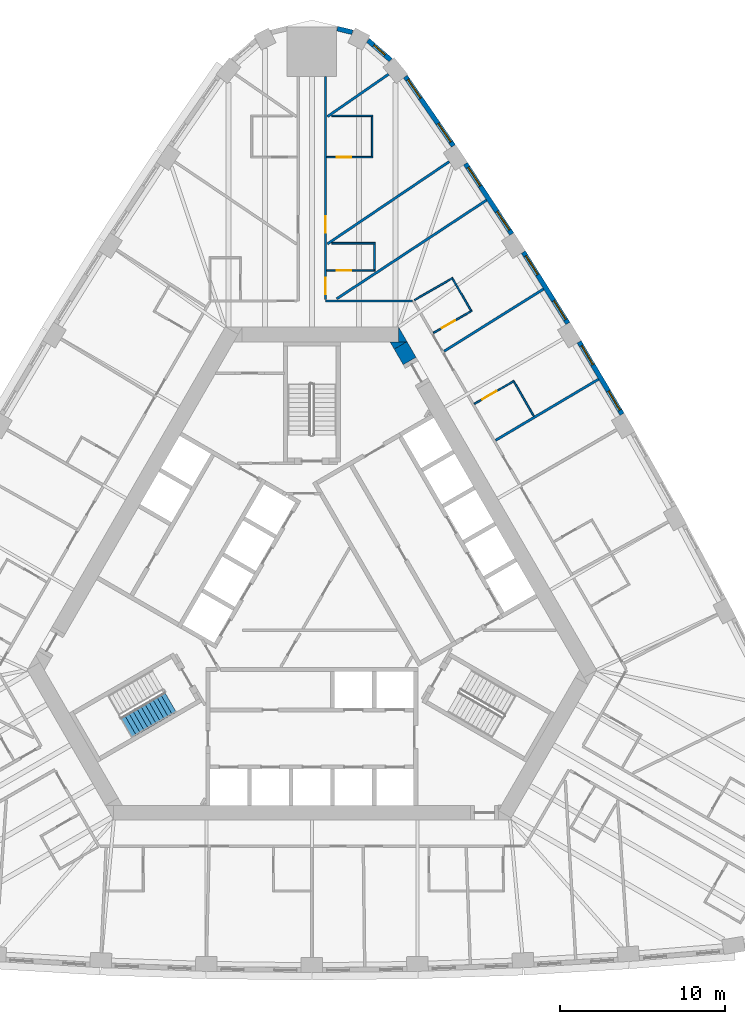
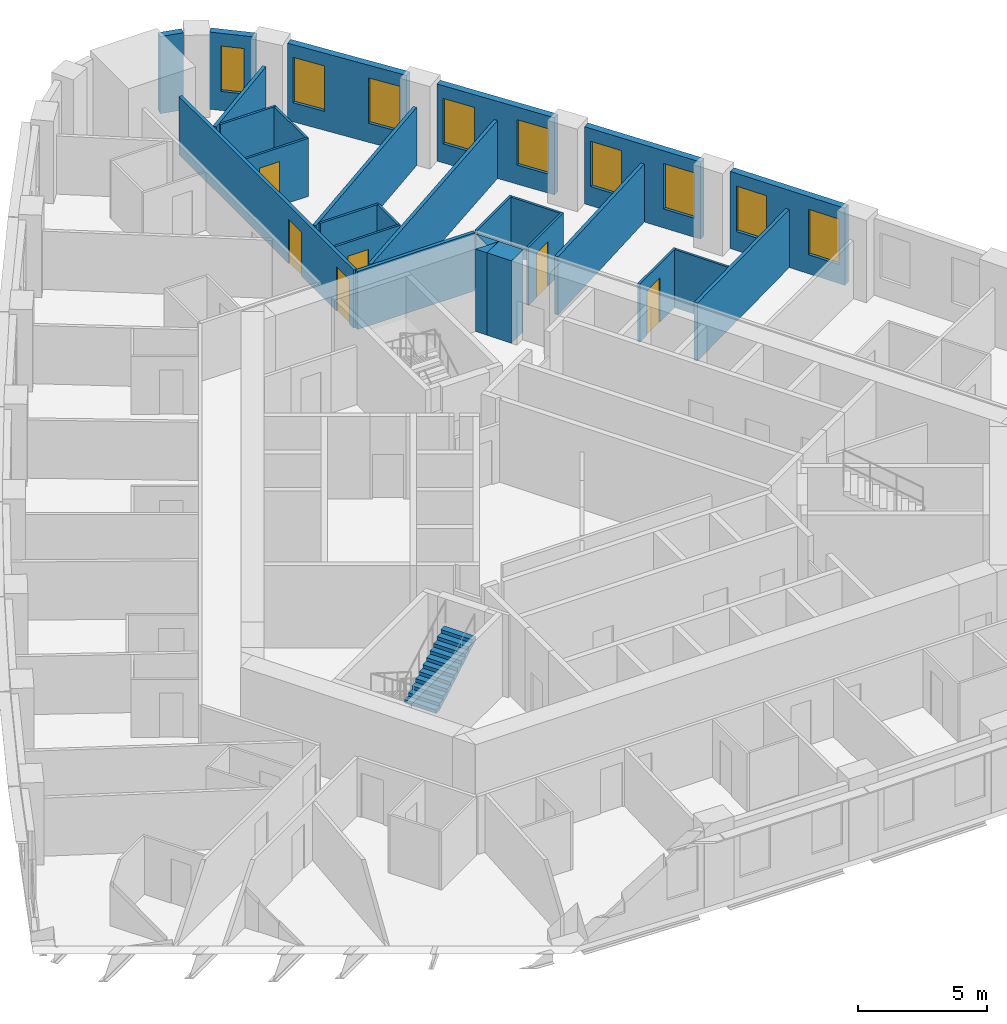
# One storey, part 11 of 13: 27 walls, 9 windows, 6 doors, 1 stair flight, 15 openings, 1 element without a shape of its own.
"""IFC4 building model written with IfcOpenShell, lengths in metres."""

from ifc_helpers import new_model, si_unit, direction, frame, frame_2d, origin, place, context, subcontext, project, spatial, polyline, rectangle, outline, extrude, material, layer, layer_set, type_object, element, fill, aggregate, save


model = new_model("IFC4")

# Units and contexts
model_context = context("Model", 3, precision=1e-05, world=origin(), true_north=direction((0.0, 1.0)))
body_context = subcontext(model_context, "Body", "Model", "MODEL_VIEW")
ifc_project = project(units=[si_unit("LENGTHUNIT", "METRE"), si_unit("AREAUNIT", "SQUARE_METRE"), si_unit("VOLUMEUNIT", "CUBIC_METRE"), si_unit("PLANEANGLEUNIT", "RADIAN"), si_unit("MASSUNIT", "GRAM", prefix="KILO")], contexts=[model_context])

# Site, building, storey
site_placement = place(None, origin())
site = spatial("IfcSite", under=ifc_project, at=site_placement, CompositionType="ELEMENT")
building_placement = place(site_placement, origin())
building = spatial("IfcBuilding", under=site, at=building_placement, Name="Mestral Congress Tower", CompositionType="ELEMENT")
storey_placement = place(building_placement, frame((0.0, 0.0, 91.5)))
storey = spatial("IfcBuildingStorey", under=building, at=storey_placement, Name="L21", CompositionType="ELEMENT", Elevation=91.5)

# Walls
ifc_material_1 = material(Name="Concrete C60/75", Category="concrete")
ifc_layer_1 = layer(ifc_material_1, 0.89990234375)
ifc_layer_set_1 = layer_set([ifc_layer_1], Name="Concrete C60/75")
wall_type_1 = type_object("IfcWallType", Name="Core wall RC 900", PredefinedType="SOLIDWALL", material=ifc_layer_set_1)
placement = place(storey_placement, origin())
element("IfcWall", 1, at=placement, inside=storey, type_object=wall_type_1, Name="L21 core wall", PredefinedType="SOLIDWALL", context=body_context, shape_type="SweptSolid", body=[
    extrude(outline(polyline([(5.265380859375, 16.0), (5.265380859375, 16.8798828125), (5.7734375, 16.0), (5.265380859375, 16.0)])), origin(), (0.0, 0.0, 1.0), 3.89990234375),
])
wall_2_placement = place(storey_placement, frame((5.92578125, 14.836181640625, 0.0), z_axis=(0.0, 0.0, 1.0), x_axis=(-0.500076735116, 0.865981096212, 0.0)))
element("IfcWall", 2, at=wall_2_placement, inside=storey, type_object=wall_type_1, Name="L21 core wall", PredefinedType="SOLIDWALL", context=body_context, shape_type="SweptSolid", body=[
    extrude(rectangle(XDim=1.093505859375, YDim=0.89990234375, at=frame_2d((0.546875, 0.0))), origin(), (0.0, 0.0, 1.0), 3.89990234375),
])
element("IfcWall", 3, at=placement, inside=storey, type_object=wall_type_1, Name="L21 core wall", PredefinedType="SOLIDWALL", context=body_context, shape_type="SweptSolid", body=[
    extrude(outline(polyline([(4.734375, 16.0), (5.750244140625, 16.0), (4.98828125, 15.56005859375), (4.734375, 16.0)])), origin(), (0.0, 0.0, 1.0), 3.89990234375),
])

# Wall, openings, windows
ifc_material_2 = material(Name="Precast concrete C40/50 with limestone facing", Category="masonry")
ifc_layer_2 = layer(ifc_material_2, 0.2900390625)
ifc_layer_set_2 = layer_set([ifc_layer_2], Name="Precast concrete C40/50 with limestone facing")
wall_type_2 = type_object("IfcWallType", Name="Facade stone wall 290", PredefinedType="SOLIDWALL", material=ifc_layer_set_2)
wall_4_placement = place(storey_placement, frame((18.8046875, 11.611083984375, 0.0), z_axis=(0.0, 0.0, 1.0), x_axis=(-0.510054281659, 0.860142214847, 0.0)))
wall_4 = element("IfcWall", 4, at=wall_4_placement, inside=storey, type_object=wall_type_2, Name="Facade wall F1-04", PredefinedType="SOLIDWALL", context=body_context, shape_type="SweptSolid", body=[
    extrude(rectangle(XDim=5.1005859375, YDim=0.2900390625, at=frame_2d((2.55029296875, 0.0))), origin(), (0.0, 0.0, 1.0), 3.64990234375),
])
opening_1_placement = place(wall_4_placement, frame((0.272705078125, 0.0, 0.89990234375)))
opening_1 = element("IfcOpeningElement", 5, at=opening_1_placement, cuts=wall_4, Name="Opening W2", PredefinedType="OPENING", context=body_context, shape_type="SweptSolid", body=[
    extrude(rectangle(XDim=1.35009765625, YDim=2.14990234375, at=frame_2d((0.675048828125, 1.074951171875))), frame((0.0, 0.155029296875, 0.0), z_axis=(0.0, -1.0, 0.0), x_axis=(1.0, 0.0, 0.0)), (0.0, 0.0, 1.0), 0.31005859375),
])
opening_2_placement = place(wall_4_placement, frame((3.477783203125, 0.0, 0.89990234375)))
opening_2 = element("IfcOpeningElement", 6, at=opening_2_placement, cuts=wall_4, Name="Opening W2", PredefinedType="OPENING", context=body_context, shape_type="SweptSolid", body=[
    extrude(rectangle(XDim=1.35009765625, YDim=2.14990234375, at=frame_2d((0.675048828125, 1.074951171875))), frame((0.0, 0.155029296875, 0.0), z_axis=(0.0, -1.0, 0.0), x_axis=(1.0, 0.0, 0.0)), (0.0, 0.0, 1.0), 0.31005859375),
])
ifc_material_3 = material(Name="Clear low-emissivity double glazing", Category="glass")
window_type_1 = type_object("IfcWindowType", Name="Facade punched window 1350 x 2150 sill 900", PartitioningType="DOUBLE_PANEL_VERTICAL", PredefinedType="WINDOW", material=ifc_material_3)
window_1_placement = place(opening_1_placement, origin())
window_1 = element("IfcWindow", 7, at=window_1_placement, inside=storey, type_object=window_type_1, Name="Window F1-04a", OverallHeight=2.14990234375, OverallWidth=1.35009765625, PartitioningType="DOUBLE_PANEL_VERTICAL", PredefinedType="WINDOW", context=body_context, shape_type="SweptSolid", body=[
    extrude(rectangle(XDim=1.35009765625, YDim=2.14990234375, at=frame_2d((0.675048828125, 1.074951171875))), frame((0.0, 0.01513671875, 0.0), z_axis=(0.0, -1.0, 0.0), x_axis=(1.0, 0.0, 0.0)), (0.0, 0.0, 1.0), 0.06005859375),
])
fill(opening_1, window_1)
window_2_placement = place(opening_2_placement, origin())
window_2 = element("IfcWindow", 8, at=window_2_placement, inside=storey, type_object=window_type_1, Name="Window F1-04b", OverallHeight=2.14990234375, OverallWidth=1.35009765625, PartitioningType="DOUBLE_PANEL_VERTICAL", PredefinedType="WINDOW", context=body_context, shape_type="SweptSolid", body=[
    extrude(rectangle(XDim=1.35009765625, YDim=2.14990234375, at=frame_2d((0.675048828125, 1.074951171875))), frame((0.0, 0.01513671875, 0.0), z_axis=(0.0, -1.0, 0.0), x_axis=(1.0, 0.0, 0.0)), (0.0, 0.0, 1.0), 0.06005859375),
])
fill(opening_2, window_2)

wall_5_placement = place(storey_placement, frame((15.523681640625, 17.114013671875, 0.0), z_axis=(0.0, 0.0, 1.0), x_axis=(-0.530072082134, 0.847952585787, 0.0)))
wall_5 = element("IfcWall", 9, at=wall_5_placement, inside=storey, type_object=wall_type_2, Name="Facade wall F1-05", PredefinedType="SOLIDWALL", context=body_context, shape_type="SweptSolid", body=[
    extrude(rectangle(XDim=5.100341796875, YDim=0.2900390625, at=frame_2d((2.55029296875, 0.0))), origin(), (0.0, 0.0, 1.0), 3.64990234375),
])
opening_3_placement = place(wall_5_placement, frame((0.272705078125, 0.0, 0.89990234375)))
opening_3 = element("IfcOpeningElement", 10, at=opening_3_placement, cuts=wall_5, Name="Opening W2", PredefinedType="OPENING", context=body_context, shape_type="SweptSolid", body=[
    extrude(rectangle(XDim=1.35009765625, YDim=2.14990234375, at=frame_2d((0.675048828125, 1.074951171875))), frame((0.0, 0.155029296875, 0.0), z_axis=(0.0, -1.0, 0.0), x_axis=(1.0, 0.0, 0.0)), (0.0, 0.0, 1.0), 0.31005859375),
])
opening_4_placement = place(wall_5_placement, frame((3.477783203125, 0.0, 0.89990234375)))
opening_4 = element("IfcOpeningElement", 11, at=opening_4_placement, cuts=wall_5, Name="Opening W2", PredefinedType="OPENING", context=body_context, shape_type="SweptSolid", body=[
    extrude(rectangle(XDim=1.35009765625, YDim=2.14990234375, at=frame_2d((0.675048828125, 1.074951171875))), frame((0.0, 0.155029296875, 0.0), z_axis=(0.0, -1.0, 0.0), x_axis=(1.0, 0.0, 0.0)), (0.0, 0.0, 1.0), 0.31005859375),
])
window_3_placement = place(opening_3_placement, origin())
window_3 = element("IfcWindow", 12, at=window_3_placement, inside=storey, type_object=window_type_1, Name="Window F1-05a", OverallHeight=2.14990234375, OverallWidth=1.35009765625, PartitioningType="DOUBLE_PANEL_VERTICAL", PredefinedType="WINDOW", context=body_context, shape_type="SweptSolid", body=[
    extrude(rectangle(XDim=1.35009765625, YDim=2.14990234375, at=frame_2d((0.675048828125, 1.074951171875))), frame((0.0, 0.01513671875, 0.0), z_axis=(0.0, -1.0, 0.0), x_axis=(1.0, 0.0, 0.0)), (0.0, 0.0, 1.0), 0.06005859375),
])
fill(opening_3, window_3)
window_4_placement = place(opening_4_placement, origin())
window_4 = element("IfcWindow", 13, at=window_4_placement, inside=storey, type_object=window_type_1, Name="Window F1-05b", OverallHeight=2.14990234375, OverallWidth=1.35009765625, PartitioningType="DOUBLE_PANEL_VERTICAL", PredefinedType="WINDOW", context=body_context, shape_type="SweptSolid", body=[
    extrude(rectangle(XDim=1.35009765625, YDim=2.14990234375, at=frame_2d((0.675048828125, 1.074951171875))), frame((0.0, 0.01513671875, 0.0), z_axis=(0.0, -1.0, 0.0), x_axis=(1.0, 0.0, 0.0)), (0.0, 0.0, 1.0), 0.06005859375),
])
fill(opening_4, window_4)

wall_6_placement = place(storey_placement, frame((12.114501953125, 22.538818359375, 0.0), z_axis=(0.0, 0.0, 1.0), x_axis=(-0.549741341923, 0.835334937005, 0.0)))
wall_6 = element("IfcWall", 14, at=wall_6_placement, inside=storey, type_object=wall_type_2, Name="Facade wall F1-06", PredefinedType="SOLIDWALL", context=body_context, shape_type="SweptSolid", body=[
    extrude(rectangle(XDim=5.10009765625, YDim=0.2900390625, at=frame_2d((2.550048828125, 0.0))), origin(), (0.0, 0.0, 1.0), 3.64990234375),
])
opening_5_placement = place(wall_6_placement, frame((0.272705078125, 0.0, 0.89990234375)))
opening_5 = element("IfcOpeningElement", 15, at=opening_5_placement, cuts=wall_6, Name="Opening W2", PredefinedType="OPENING", context=body_context, shape_type="SweptSolid", body=[
    extrude(rectangle(XDim=1.35009765625, YDim=2.14990234375, at=frame_2d((0.675048828125, 1.074951171875))), frame((0.0, 0.155029296875, 0.0), z_axis=(0.0, -1.0, 0.0), x_axis=(1.0, 0.0, 0.0)), (0.0, 0.0, 1.0), 0.31005859375),
])
opening_6_placement = place(wall_6_placement, frame((3.477783203125, 0.0, 0.89990234375)))
opening_6 = element("IfcOpeningElement", 16, at=opening_6_placement, cuts=wall_6, Name="Opening W2", PredefinedType="OPENING", context=body_context, shape_type="SweptSolid", body=[
    extrude(rectangle(XDim=1.35009765625, YDim=2.14990234375, at=frame_2d((0.675048828125, 1.074951171875))), frame((0.0, 0.155029296875, 0.0), z_axis=(0.0, -1.0, 0.0), x_axis=(1.0, 0.0, 0.0)), (0.0, 0.0, 1.0), 0.31005859375),
])
window_5_placement = place(opening_5_placement, origin())
window_5 = element("IfcWindow", 17, at=window_5_placement, inside=storey, type_object=window_type_1, Name="Window F1-06a", OverallHeight=2.14990234375, OverallWidth=1.35009765625, PartitioningType="DOUBLE_PANEL_VERTICAL", PredefinedType="WINDOW", context=body_context, shape_type="SweptSolid", body=[
    extrude(rectangle(XDim=1.35009765625, YDim=2.14990234375, at=frame_2d((0.675048828125, 1.074951171875))), frame((0.0, 0.01513671875, 0.0), z_axis=(0.0, -1.0, 0.0), x_axis=(1.0, 0.0, 0.0)), (0.0, 0.0, 1.0), 0.06005859375),
])
fill(opening_5, window_5)
window_6_placement = place(opening_6_placement, origin())
window_6 = element("IfcWindow", 18, at=window_6_placement, inside=storey, type_object=window_type_1, Name="Window F1-06b", OverallHeight=2.14990234375, OverallWidth=1.35009765625, PartitioningType="DOUBLE_PANEL_VERTICAL", PredefinedType="WINDOW", context=body_context, shape_type="SweptSolid", body=[
    extrude(rectangle(XDim=1.35009765625, YDim=2.14990234375, at=frame_2d((0.675048828125, 1.074951171875))), frame((0.0, 0.01513671875, 0.0), z_axis=(0.0, -1.0, 0.0), x_axis=(1.0, 0.0, 0.0)), (0.0, 0.0, 1.0), 0.06005859375),
])
fill(opening_6, window_6)

wall_7_placement = place(storey_placement, frame((8.57958984375, 27.882080078125, 0.0), z_axis=(0.0, 0.0, 1.0), x_axis=(-0.569113019126, 0.822259309136, 0.0)))
wall_7 = element("IfcWall", 19, at=wall_7_placement, inside=storey, type_object=wall_type_2, Name="Facade wall F1-07", PredefinedType="SOLIDWALL", context=body_context, shape_type="SweptSolid", body=[
    extrude(rectangle(XDim=5.106689453125, YDim=0.2900390625, at=frame_2d((2.55322265625, 0.0))), origin(), (0.0, 0.0, 1.0), 3.64990234375),
])
opening_7_placement = place(wall_7_placement, frame((0.285400390625, 0.0, 0.89990234375)))
opening_7 = element("IfcOpeningElement", 20, at=opening_7_placement, cuts=wall_7, Name="Opening W2", PredefinedType="OPENING", context=body_context, shape_type="SweptSolid", body=[
    extrude(rectangle(XDim=1.35009765625, YDim=2.14990234375, at=frame_2d((0.675048828125, 1.074951171875))), frame((0.0, 0.155029296875, 0.0), z_axis=(0.0, -1.0, 0.0), x_axis=(1.0, 0.0, 0.0)), (0.0, 0.0, 1.0), 0.31005859375),
])
opening_8_placement = place(wall_7_placement, frame((3.516357421875, 0.0, 0.89990234375)))
opening_8 = element("IfcOpeningElement", 21, at=opening_8_placement, cuts=wall_7, Name="Opening W2", PredefinedType="OPENING", context=body_context, shape_type="SweptSolid", body=[
    extrude(rectangle(XDim=1.35009765625, YDim=2.14990234375, at=frame_2d((0.675048828125, 1.074951171875))), frame((0.0, 0.155029296875, 0.0), z_axis=(0.0, -1.0, 0.0), x_axis=(1.0, 0.0, 0.0)), (0.0, 0.0, 1.0), 0.31005859375),
])
window_7_placement = place(opening_7_placement, origin())
window_7 = element("IfcWindow", 22, at=window_7_placement, inside=storey, type_object=window_type_1, Name="Window F1-07a", OverallHeight=2.14990234375, OverallWidth=1.35009765625, PartitioningType="DOUBLE_PANEL_VERTICAL", PredefinedType="WINDOW", context=body_context, shape_type="SweptSolid", body=[
    extrude(rectangle(XDim=1.35009765625, YDim=2.14990234375, at=frame_2d((0.675048828125, 1.074951171875))), frame((0.0, 0.01513671875, 0.0), z_axis=(0.0, -1.0, 0.0), x_axis=(1.0, 0.0, 0.0)), (0.0, 0.0, 1.0), 0.06005859375),
])
fill(opening_7, window_7)
window_8_placement = place(opening_8_placement, origin())
window_8 = element("IfcWindow", 23, at=window_8_placement, inside=storey, type_object=window_type_1, Name="Window F1-07b", OverallHeight=2.14990234375, OverallWidth=1.35009765625, PartitioningType="DOUBLE_PANEL_VERTICAL", PredefinedType="WINDOW", context=body_context, shape_type="SweptSolid", body=[
    extrude(rectangle(XDim=1.35009765625, YDim=2.14990234375, at=frame_2d((0.675048828125, 1.074951171875))), frame((0.0, 0.01513671875, 0.0), z_axis=(0.0, -1.0, 0.0), x_axis=(1.0, 0.0, 0.0)), (0.0, 0.0, 1.0), 0.06005859375),
])
fill(opening_8, window_8)

# Wall, opening, window
wall_8_placement = place(storey_placement, frame((4.778076171875, 33.08203125, 0.0), z_axis=(0.0, 0.0, 1.0), x_axis=(-0.754882764627, 0.655859749999, 0.0)))
wall_8 = element("IfcWall", 24, at=wall_8_placement, inside=storey, type_object=wall_type_2, Name="Facade wall K1-0", PredefinedType="SOLIDWALL", context=body_context, shape_type="SweptSolid", body=[
    extrude(rectangle(XDim=1.819580078125, YDim=0.2900390625, at=frame_2d((0.90966796875, 0.0))), origin(), (0.0, 0.0, 1.0), 3.64990234375),
])
opening_9_placement = place(wall_8_placement, frame((0.459716796875, 0.0, 0.89990234375)))
opening_9 = element("IfcOpeningElement", 25, at=opening_9_placement, cuts=wall_8, Name="Opening W3", PredefinedType="OPENING", context=body_context, shape_type="SweptSolid", body=[
    extrude(rectangle(XDim=0.89990234375, YDim=2.14990234375, at=frame_2d((0.449951171875, 1.074951171875))), frame((0.0, 0.155029296875, 0.0), z_axis=(0.0, -1.0, 0.0), x_axis=(1.0, 0.0, 0.0)), (0.0, 0.0, 1.0), 0.31005859375),
])
window_type_2 = type_object("IfcWindowType", Name="Facade punched window 900 x 2150 sill 900", PartitioningType="SINGLE_PANEL", PredefinedType="WINDOW", material=ifc_material_3)
window_9_placement = place(opening_9_placement, origin())
window_9 = element("IfcWindow", 26, at=window_9_placement, inside=storey, type_object=window_type_2, Name="Window K1-0", OverallHeight=2.14990234375, OverallWidth=0.89990234375, PartitioningType="SINGLE_PANEL", PredefinedType="WINDOW", context=body_context, shape_type="SweptSolid", body=[
    extrude(rectangle(XDim=0.89990234375, YDim=2.14990234375, at=frame_2d((0.449951171875, 1.074951171875))), frame((0.0, 0.01513671875, 0.0), z_axis=(0.0, -1.0, 0.0), x_axis=(1.0, 0.0, 0.0)), (0.0, 0.0, 1.0), 0.06005859375),
])
fill(opening_9, window_9)

# Wall
wall_9_placement = place(storey_placement, frame((2.455322265625, 34.765625, 0.0), z_axis=(0.0, 0.0, 1.0), x_axis=(-0.971713991574, 0.236160789674, 0.0)))
element("IfcWall", 27, at=wall_9_placement, inside=storey, type_object=wall_type_2, Name="Facade wall K1-1", PredefinedType="SOLIDWALL", context=body_context, shape_type="SweptSolid", body=[
    extrude(rectangle(XDim=0.947021484375, YDim=0.2900390625, at=frame_2d((0.4736328125, 0.0))), origin(), (0.0, 0.0, 1.0), 3.64990234375),
])

# Wall, opening, door
ifc_material_4 = material(Name="Gypsum board partition on metal studs with mineral wool", Category="composite")
ifc_layer_3 = layer(ifc_material_4, 0.10009765625)
ifc_layer_set_3 = layer_set([ifc_layer_3], Name="Gypsum board partition on metal studs with mineral wool")
wall_type_3 = type_object("IfcWallType", Name="Hotel partition wall 100", PredefinedType="PARTITIONING", material=ifc_layer_set_3)
wall_10_placement = place(storey_placement, frame((12.277099609375, 13.635498046875, 0.0), z_axis=(0.0, 0.0, 1.0), x_axis=(-0.866034573852, -0.49998411664, 0.0)))
wall_10 = element("IfcWall", 28, at=wall_10_placement, inside=storey, type_object=wall_type_3, Name="L21-h-pod15a", PredefinedType="PARTITIONING", context=body_context, shape_type="SweptSolid", body=[
    extrude(rectangle(XDim=2.7998046875, YDim=0.10009765625, at=frame_2d((1.39990234375, 0.0))), origin(), (0.0, 0.0, 1.0), 2.75),
])
opening_10_placement = place(wall_10_placement, frame((1.25, 0.0, 0.0)))
opening_10 = element("IfcOpeningElement", 29, at=opening_10_placement, cuts=wall_10, Name="Opening H06-028", PredefinedType="OPENING", context=body_context, shape_type="SweptSolid", body=[
    extrude(rectangle(XDim=1.0, YDim=2.10009765625, at=frame_2d((0.5, 1.050048828125))), frame((0.0, 0.06005859375, 0.0), z_axis=(0.0, -1.0, 0.0), x_axis=(1.0, 0.0, 0.0)), (0.0, 0.0, 1.0), 0.1201171875),
])
ifc_material_5 = material(Name="Timber veneer door leaf in timber frame", Category="wood")
door_type_1 = type_object("IfcDoorType", Name="Accessible bathroom door 1000", OperationType="SINGLE_SWING_LEFT", PredefinedType="DOOR", material=ifc_material_5)
door_1_placement = place(opening_10_placement, origin())
door_1 = element("IfcDoor", 30, at=door_1_placement, inside=storey, type_object=door_type_1, Name="L21-h-d028", OperationType="SINGLE_SWING_RIGHT", OverallHeight=2.10009765625, OverallWidth=1.0, PredefinedType="DOOR", context=body_context, shape_type="SweptSolid", body=[
    extrude(rectangle(XDim=1.0, YDim=2.10009765625, at=frame_2d((0.5, 1.050048828125))), frame((0.0, 0.02490234375, 0.0), z_axis=(0.0, -1.0, 0.0), x_axis=(1.0, 0.0, 0.0)), (0.0, 0.0, 1.0), 0.050048828125),
])
fill(opening_10, door_1)

# Wall
wall_11_placement = place(storey_placement, frame((12.2587890625, 13.567138671875, 0.0), z_axis=(0.0, 0.0, 1.0), x_axis=(0.500017192868, -0.86601547725, 0.0)))
element("IfcWall", 31, at=wall_11_placement, inside=storey, type_object=wall_type_3, Name="L21-h-pod15b", PredefinedType="PARTITIONING", context=body_context, shape_type="SweptSolid", body=[
    extrude(rectangle(XDim=2.39013671875, YDim=0.10009765625, at=frame_2d((1.195068359375, 0.0))), origin(), (0.0, 0.0, 1.0), 2.75),
])

# Wall, opening, door
wall_12_placement = place(storey_placement, frame((7.3681640625, 16.5380859375, 0.0), z_axis=(0.0, 0.0, 1.0), x_axis=(0.866036505625, 0.499980770555, 0.0)))
wall_12 = element("IfcWall", 32, at=wall_12_placement, inside=storey, type_object=wall_type_3, Name="L21-h-pod16a", PredefinedType="PARTITIONING", context=body_context, shape_type="SweptSolid", body=[
    extrude(rectangle(XDim=2.69970703125, YDim=0.10009765625, at=frame_2d((1.349853515625, 0.0))), origin(), (0.0, 0.0, 1.0), 2.75),
])
opening_11_placement = place(wall_12_placement, frame((0.60009765625, 0.0, 0.0)))
opening_11 = element("IfcOpeningElement", 33, at=opening_11_placement, cuts=wall_12, Name="Opening H06-030", PredefinedType="OPENING", context=body_context, shape_type="SweptSolid", body=[
    extrude(rectangle(XDim=0.89990234375, YDim=2.10009765625, at=frame_2d((0.449951171875, 1.050048828125))), frame((0.0, 0.06005859375, 0.0), z_axis=(0.0, -1.0, 0.0), x_axis=(1.0, 0.0, 0.0)), (0.0, 0.0, 1.0), 0.1201171875),
])
door_type_2 = type_object("IfcDoorType", Name="Bathroom door 900", OperationType="SINGLE_SWING_LEFT", PredefinedType="DOOR", material=ifc_material_5)
door_2_placement = place(opening_11_placement, origin())
door_2 = element("IfcDoor", 34, at=door_2_placement, inside=storey, type_object=door_type_2, Name="L21-h-d030", OperationType="SINGLE_SWING_LEFT", OverallHeight=2.10009765625, OverallWidth=0.89990234375, PredefinedType="DOOR", context=body_context, shape_type="SweptSolid", body=[
    extrude(rectangle(XDim=0.89990234375, YDim=2.10009765625, at=frame_2d((0.449951171875, 1.050048828125))), frame((0.0, 0.02490234375, 0.0), z_axis=(0.0, -1.0, 0.0), x_axis=(1.0, 0.0, 0.0)), (0.0, 0.0, 1.0), 0.050048828125),
])
fill(opening_11, door_2)

# Walls
wall_13_placement = place(storey_placement, frame((9.63818359375, 17.90625, 0.0), z_axis=(0.0, 0.0, 1.0), x_axis=(-0.50002983664, 0.866008176907, 0.0)))
element("IfcWall", 35, at=wall_13_placement, inside=storey, type_object=wall_type_3, Name="L21-h-pod16b", PredefinedType="PARTITIONING", context=body_context, shape_type="SweptSolid", body=[
    extrude(rectangle(XDim=2.199951171875, YDim=0.10009765625, at=frame_2d((1.10009765625, 0.0))), origin(), (0.0, 0.0, 1.0), 2.75),
])
wall_14_placement = place(storey_placement, frame((6.21826171875, 18.52978515625, 0.0), z_axis=(0.0, 0.0, 1.0), x_axis=(0.86599734893, 0.500048589285, 0.0)))
element("IfcWall", 36, at=wall_14_placement, inside=storey, type_object=wall_type_3, Name="L21-h-pod16c", PredefinedType="PARTITIONING", context=body_context, shape_type="SweptSolid", body=[
    extrude(rectangle(XDim=2.699951171875, YDim=0.10009765625, at=frame_2d((1.35009765625, 0.0))), origin(), (0.0, 0.0, 1.0), 2.75),
])

# Wall, opening, door
wall_15_placement = place(storey_placement, frame((0.89990234375, 20.32861328125, 0.0), z_axis=(0.0, 0.0, 1.0), x_axis=(1.0, 0.0, 0.0)))
wall_15 = element("IfcWall", 37, at=wall_15_placement, inside=storey, type_object=wall_type_3, Name="L21-h-pod17a", PredefinedType="PARTITIONING", context=body_context, shape_type="SweptSolid", body=[
    extrude(rectangle(XDim=2.9501953125, YDim=0.10009765625, at=frame_2d((1.47509765625, 0.0))), origin(), (0.0, 0.0, 1.0), 2.75),
])
opening_12_placement = place(wall_15_placement, frame((0.60009765625, 0.0, 0.0)))
opening_12 = element("IfcOpeningElement", 38, at=opening_12_placement, cuts=wall_15, Name="Opening H06-032", PredefinedType="OPENING", context=body_context, shape_type="SweptSolid", body=[
    extrude(rectangle(XDim=0.89990234375, YDim=2.10009765625, at=frame_2d((0.449951171875, 1.050048828125))), frame((0.0, 0.06005859375, 0.0), z_axis=(0.0, -1.0, 0.0), x_axis=(1.0, 0.0, 0.0)), (0.0, 0.0, 1.0), 0.1201171875),
])
door_3_placement = place(opening_12_placement, origin())
door_3 = element("IfcDoor", 39, at=door_3_placement, inside=storey, type_object=door_type_2, Name="L21-h-d032", OperationType="SINGLE_SWING_LEFT", OverallHeight=2.10009765625, OverallWidth=0.89990234375, PredefinedType="DOOR", context=body_context, shape_type="SweptSolid", body=[
    extrude(rectangle(XDim=0.89990234375, YDim=2.10009765625, at=frame_2d((0.449951171875, 1.050048828125))), frame((0.0, 0.02490234375, 0.0), z_axis=(0.0, -1.0, 0.0), x_axis=(1.0, 0.0, 0.0)), (0.0, 0.0, 1.0), 0.050048828125),
])
fill(opening_12, door_3)

# Walls
wall_16_placement = place(storey_placement, frame((3.800048828125, 20.37841796875, 0.0), z_axis=(0.0, 0.0, 1.0), x_axis=(0.0, 1.0, 0.0)))
element("IfcWall", 40, at=wall_16_placement, inside=storey, type_object=wall_type_3, Name="L21-h-pod17b", PredefinedType="PARTITIONING", context=body_context, shape_type="SweptSolid", body=[
    extrude(rectangle(XDim=1.550048828125, YDim=0.10009765625, at=frame_2d((0.77490234375, 0.0))), origin(), (0.0, 0.0, 1.0), 2.75),
])
wall_17_placement = place(storey_placement, frame((1.2099609375, 21.978515625, 0.0), z_axis=(0.0, 0.0, 1.0), x_axis=(1.0, 0.0, 0.0)))
element("IfcWall", 41, at=wall_17_placement, inside=storey, type_object=wall_type_3, Name="L21-h-pod17c", PredefinedType="PARTITIONING", context=body_context, shape_type="SweptSolid", body=[
    extrude(rectangle(XDim=2.64013671875, YDim=0.10009765625, at=frame_2d((1.320068359375, 0.0))), origin(), (0.0, 0.0, 1.0), 2.75),
])

# Wall, opening, door
wall_18_placement = place(storey_placement, frame((0.89990234375, 27.197998046875, 0.0), z_axis=(0.0, 0.0, 1.0), x_axis=(1.0, 0.0, 0.0)))
wall_18 = element("IfcWall", 42, at=wall_18_placement, inside=storey, type_object=wall_type_3, Name="L21-h-pod18a", PredefinedType="PARTITIONING", context=body_context, shape_type="SweptSolid", body=[
    extrude(rectangle(XDim=2.800048828125, YDim=0.10009765625, at=frame_2d((1.39990234375, 0.0))), origin(), (0.0, 0.0, 1.0), 2.75),
])
opening_13_placement = place(wall_18_placement, frame((0.60009765625, 0.0, 0.0)))
opening_13 = element("IfcOpeningElement", 43, at=opening_13_placement, cuts=wall_18, Name="Opening H06-034", PredefinedType="OPENING", context=body_context, shape_type="SweptSolid", body=[
    extrude(rectangle(XDim=0.89990234375, YDim=2.10009765625, at=frame_2d((0.449951171875, 1.050048828125))), frame((0.0, 0.06005859375, 0.0), z_axis=(0.0, -1.0, 0.0), x_axis=(1.0, 0.0, 0.0)), (0.0, 0.0, 1.0), 0.1201171875),
])
door_4_placement = place(opening_13_placement, origin())
door_4 = element("IfcDoor", 44, at=door_4_placement, inside=storey, type_object=door_type_2, Name="L21-h-d034", OperationType="SINGLE_SWING_RIGHT", OverallHeight=2.10009765625, OverallWidth=0.89990234375, PredefinedType="DOOR", context=body_context, shape_type="SweptSolid", body=[
    extrude(rectangle(XDim=0.89990234375, YDim=2.10009765625, at=frame_2d((0.449951171875, 1.050048828125))), frame((0.0, 0.02490234375, 0.0), z_axis=(0.0, -1.0, 0.0), x_axis=(1.0, 0.0, 0.0)), (0.0, 0.0, 1.0), 0.050048828125),
])
fill(opening_13, door_4)

# Walls
wall_19_placement = place(storey_placement, frame((3.64990234375, 27.248046875, 0.0), z_axis=(0.0, 0.0, 1.0), x_axis=(0.0, 1.0, 0.0)))
element("IfcWall", 45, at=wall_19_placement, inside=storey, type_object=wall_type_3, Name="L21-h-pod18b", PredefinedType="PARTITIONING", context=body_context, shape_type="SweptSolid", body=[
    extrude(rectangle(XDim=2.39990234375, YDim=0.10009765625, at=frame_2d((1.199951171875, 0.0))), origin(), (0.0, 0.0, 1.0), 2.75),
])
wall_20_placement = place(storey_placement, frame((1.199951171875, 29.697998046875, 0.0), z_axis=(0.0, 0.0, 1.0), x_axis=(1.0, 0.0, 0.0)))
element("IfcWall", 46, at=wall_20_placement, inside=storey, type_object=wall_type_3, Name="L21-h-pod18c", PredefinedType="PARTITIONING", context=body_context, shape_type="SweptSolid", body=[
    extrude(rectangle(XDim=2.5, YDim=0.10009765625, at=frame_2d((1.25, 0.0))), origin(), (0.0, 0.0, 1.0), 2.75),
])
ifc_layer_4 = layer(ifc_material_4, 0.14990234375)
ifc_layer_set_4 = layer_set([ifc_layer_4], Name="Gypsum board partition on metal studs with mineral wool")
wall_type_4 = type_object("IfcWallType", Name="Hotel partition wall 150", PredefinedType="PARTITIONING", material=ifc_layer_set_4)
wall_21_placement = place(storey_placement, frame((0.824951171875, 18.47509765625, 0.0), z_axis=(0.0, 0.0, 1.0), x_axis=(1.0, 0.0, 0.0)))
element("IfcWall", 47, at=wall_21_placement, inside=storey, type_object=wall_type_4, Name="L21-h-cw04", PredefinedType="PARTITIONING", context=body_context, shape_type="SweptSolid", body=[
    extrude(rectangle(XDim=5.268310546875, YDim=0.14990234375, at=frame_2d((2.63427734375, 0.0))), origin(), (0.0, 0.0, 1.0), 2.75),
])

# Wall, openings, doors
wall_22_placement = place(storey_placement, frame((0.824951171875, 32.098388671875, 0.0), z_axis=(0.0, 0.0, 1.0), x_axis=(0.0, -1.0, 0.0)))
wall_22 = element("IfcWall", 48, at=wall_22_placement, inside=storey, type_object=wall_type_4, Name="L21-h-cw05", PredefinedType="PARTITIONING", context=body_context, shape_type="SweptSolid", body=[
    extrude(rectangle(XDim=13.54345703125, YDim=0.14990234375, at=frame_2d((6.771728515625, 0.0))), origin(), (0.0, 0.0, 1.0), 2.75),
])
opening_14_placement = place(wall_22_placement, frame((12.21337890625, 0.0, 0.0)))
opening_14 = element("IfcOpeningElement", 49, at=opening_14_placement, cuts=wall_22, Name="Opening H06-031", PredefinedType="OPENING", context=body_context, shape_type="SweptSolid", body=[
    extrude(rectangle(XDim=1.0, YDim=2.10009765625, at=frame_2d((0.5, 1.050048828125))), frame((0.0, 0.0849609375, 0.0), z_axis=(0.0, -1.0, 0.0), x_axis=(1.0, 0.0, 0.0)), (0.0, 0.0, 1.0), 0.169921875),
])
opening_15_placement = place(wall_22_placement, frame((8.490234375, 0.0, 0.0)))
opening_15 = element("IfcOpeningElement", 50, at=opening_15_placement, cuts=wall_22, Name="Opening H06-033", PredefinedType="OPENING", context=body_context, shape_type="SweptSolid", body=[
    extrude(rectangle(XDim=1.0, YDim=2.10009765625, at=frame_2d((0.5, 1.050048828125))), frame((0.0, 0.0849609375, 0.0), z_axis=(0.0, -1.0, 0.0), x_axis=(1.0, 0.0, 0.0)), (0.0, 0.0, 1.0), 0.169921875),
])
ifc_material_6 = material(Name="Timber veneer door leaf in metal frame", Category="wood")
door_type_3 = type_object("IfcDoorType", Name="Guest room entrance door 1000", OperationType="SINGLE_SWING_LEFT", PredefinedType="DOOR", material=ifc_material_6)
door_5_placement = place(opening_14_placement, origin())
door_5 = element("IfcDoor", 51, at=door_5_placement, inside=storey, type_object=door_type_3, Name="L21-h-d031", OperationType="SINGLE_SWING_RIGHT", OverallHeight=2.10009765625, OverallWidth=1.0, PredefinedType="DOOR", context=body_context, shape_type="SweptSolid", body=[
    extrude(rectangle(XDim=1.0, YDim=2.10009765625, at=frame_2d((0.5, 1.050048828125))), frame((0.0, 0.02490234375, 0.0), z_axis=(0.0, -1.0, 0.0), x_axis=(1.0, 0.0, 0.0)), (0.0, 0.0, 1.0), 0.050048828125),
])
fill(opening_14, door_5)
door_6_placement = place(opening_15_placement, origin())
door_6 = element("IfcDoor", 52, at=door_6_placement, inside=storey, type_object=door_type_3, Name="L21-h-d033", OperationType="SINGLE_SWING_RIGHT", OverallHeight=2.10009765625, OverallWidth=1.0, PredefinedType="DOOR", context=body_context, shape_type="SweptSolid", body=[
    extrude(rectangle(XDim=1.0, YDim=2.10009765625, at=frame_2d((0.5, 1.050048828125))), frame((0.0, 0.02490234375, 0.0), z_axis=(0.0, -1.0, 0.0), x_axis=(1.0, 0.0, 0.0)), (0.0, 0.0, 1.0), 0.050048828125),
])
fill(opening_15, door_6)

# Walls
wall_23_placement = place(storey_placement, frame((8.32568359375, 26.922607421875, 0.0), z_axis=(0.0, 0.0, 1.0), x_axis=(-0.828836601893, -0.5594907393, 0.0)))
element("IfcWall", 53, at=wall_23_placement, inside=storey, type_object=wall_type_4, Name="L21-h-pw16", PredefinedType="PARTITIONING", context=body_context, shape_type="SweptSolid", body=[
    extrude(rectangle(XDim=8.9091796875, YDim=0.14990234375, at=frame_2d((4.45458984375, 0.0))), origin(), (0.0, 0.0, 1.0), 2.75),
])
wall_24_placement = place(storey_placement, frame((10.591552734375, 24.589111328125, 0.0), z_axis=(0.0, 0.0, 1.0), x_axis=(-0.835337323748, -0.549737715236, 0.0)))
element("IfcWall", 54, at=wall_24_placement, inside=storey, type_object=wall_type_4, Name="L21-h-pw17", PredefinedType="PARTITIONING", context=body_context, shape_type="SweptSolid", body=[
    extrude(rectangle(XDim=10.875244140625, YDim=0.14990234375, at=frame_2d((5.4375, 0.0))), origin(), (0.0, 0.0, 1.0), 2.75),
])
wall_25_placement = place(storey_placement, frame((4.649169921875, 32.223388671875, 0.0), z_axis=(0.0, 0.0, 1.0), x_axis=(-0.822262349475, -0.569108626394, 0.0)))
element("IfcWall", 55, at=wall_25_placement, inside=storey, type_object=wall_type_4, Name="L21-h-pw19", PredefinedType="PARTITIONING", context=body_context, shape_type="SweptSolid", body=[
    extrude(rectangle(XDim=4.509521484375, YDim=0.14990234375, at=frame_2d((2.2548828125, 0.0))), origin(), (0.0, 0.0, 1.0), 2.75),
])
wall_26_placement = place(storey_placement, frame((14.048828125, 19.19970703125, 0.0), z_axis=(0.0, 0.0, 1.0), x_axis=(-0.847955867271, -0.530066832731, 0.0)))
element("IfcWall", 56, at=wall_26_placement, inside=storey, type_object=wall_type_4, Name="L21-h-pw20", PredefinedType="PARTITIONING", context=body_context, shape_type="SweptSolid", body=[
    extrude(rectangle(XDim=7.111083984375, YDim=0.14990234375, at=frame_2d((3.5556640625, 0.0))), origin(), (0.0, 0.0, 1.0), 2.75),
])
wall_27_placement = place(storey_placement, frame((17.379150390625, 13.730712890625, 0.0), z_axis=(0.0, 0.0, 1.0), x_axis=(-0.860132461691, -0.510070728768, 0.0)))
element("IfcWall", 57, at=wall_27_placement, inside=storey, type_object=wall_type_4, Name="L21-h-pw22", PredefinedType="PARTITIONING", context=body_context, shape_type="SweptSolid", body=[
    extrude(rectangle(XDim=7.256591796875, YDim=0.14990234375, at=frame_2d((3.62841796875, 0.0))), origin(), (0.0, 0.0, 1.0), 2.75),
])

# Stair, stair flight
stair_type = type_object("IfcStairType", Name="Exit stair 1400", PredefinedType="HALF_TURN_STAIR", material=ifc_material_1)
stair = element("IfcStair", 58, at=placement, inside=storey, type_object=stair_type, Name="L21 ST3", PredefinedType="HALF_TURN_STAIR")
stair_flight_type = type_object("IfcStairFlightType", Name="Exit stair flight 1400", PredefinedType="STRAIGHT", material=ifc_material_1)
stair_flight_placement = place(storey_placement, frame((-11.2431640625, -7.38623046875, 1.949951171875), z_axis=(0.0, 0.0, 1.0), x_axis=(0.866025403784, 0.5, 0.0)))
stair_flight = element("IfcStairFlight", 59, at=stair_flight_placement, type_object=stair_flight_type, Name="ST3 flight 2", NumberOfRisers=12, NumberOfTreads=11, PredefinedType="STRAIGHT", RiserHeight=0.1625, TreadLength=0.28, context=body_context, shape_type="SweptSolid", body=[
    extrude(outline(polyline([(0.0, 0.0), (0.0, 0.16259765625), (0.280029296875, 0.16259765625), (0.280029296875, 0.324951171875), (0.56005859375, 0.324951171875), (0.56005859375, 0.487548828125), (0.840087890625, 0.487548828125), (0.840087890625, 0.64990234375), (1.1201171875, 0.64990234375), (1.1201171875, 0.8125), (1.39990234375, 0.8125), (1.39990234375, 0.97509765625), (1.679931640625, 0.97509765625), (1.679931640625, 1.137451171875), (1.9599609375, 1.137451171875), (1.9599609375, 1.300048828125), (2.239990234375, 1.300048828125), (2.239990234375, 1.46240234375), (2.52001953125, 1.46240234375), (2.52001953125, 1.625), (2.800048828125, 1.625), (2.800048828125, 1.78759765625), (3.080078125, 1.78759765625), (3.080078125, 1.949951171875), (3.080078125, 1.6142578125), (0.298583984375, 0.0), (0.0, 0.0)])), frame((0.0, 0.699951171875, 0.0), z_axis=(0.0, -1.0, 0.0), x_axis=(1.0, 0.0, 0.0)), (0.0, 0.0, 1.0), 1.39990234375),
])
aggregate(stair, [stair_flight])

save(model, "model.ifc")
